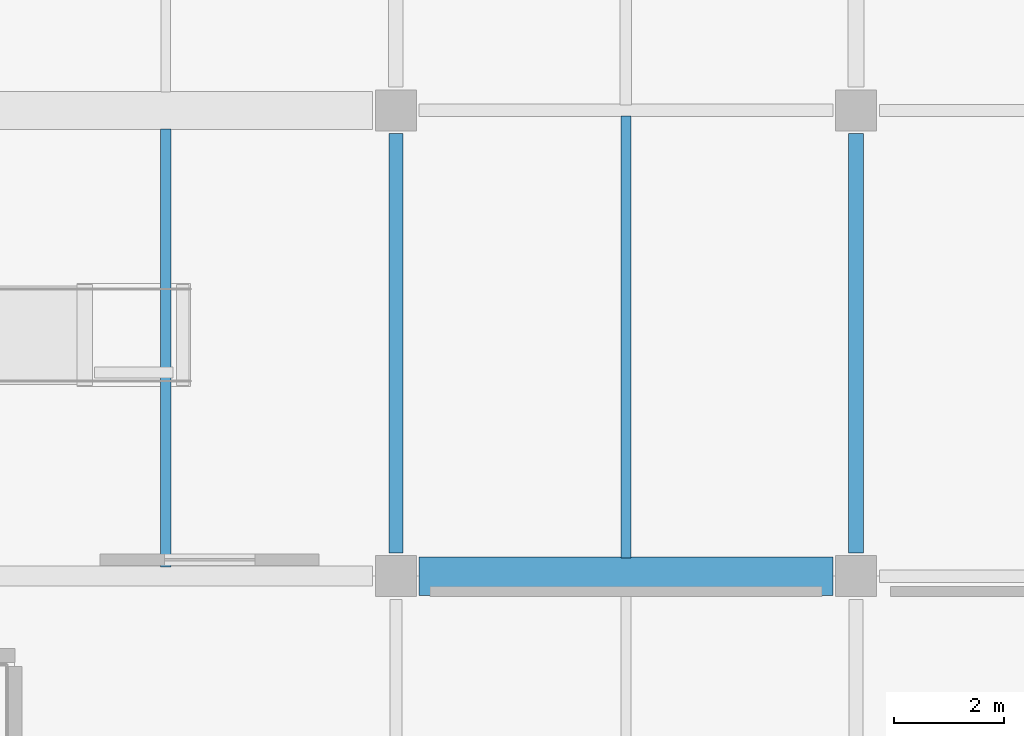
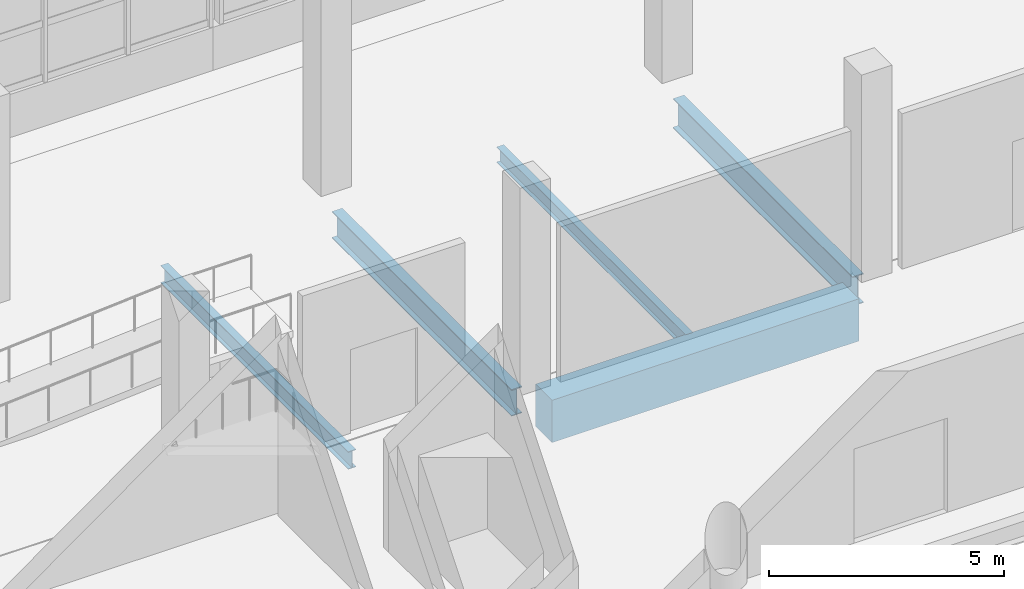
# One storey, part 48 of 107: 5 beams.
"""IFC4 building model written with IfcOpenShell, lengths in metres."""

from ifc_helpers import new_model, si_unit, direction, frame, origin, origin_2d, place, context, subcontext, project, spatial, rectangle, i_section, extrude, material, material_profile, profile_set, type_object, element, save


model = new_model("IFC4")

# Units and contexts
model_context = context("Model", 3, precision=1e-05, world=origin(), true_north=direction((0.0, 1.0)))
body_context = subcontext(model_context, "Body", "Model", "MODEL_VIEW")
ifc_project = project(units=[si_unit("LENGTHUNIT", "METRE"), si_unit("AREAUNIT", "SQUARE_METRE"), si_unit("VOLUMEUNIT", "CUBIC_METRE"), si_unit("PLANEANGLEUNIT", "RADIAN"), si_unit("MASSUNIT", "GRAM", prefix="KILO")], contexts=[model_context])

# Site, building, storey
site_placement = place(None, origin())
site = spatial("IfcSite", under=ifc_project, at=site_placement, CompositionType="ELEMENT")
building_placement = place(site_placement, origin())
building = spatial("IfcBuilding", under=site, at=building_placement, Name="Solvento Point Concert Hall", CompositionType="ELEMENT")
storey_placement = place(building_placement, origin())
storey = spatial("IfcBuildingStorey", under=building, at=storey_placement, Name="L00", CompositionType="ELEMENT", Elevation=0.0)

# Beams
ifc_material_1 = material(Name="Concrete C35/45", Category="concrete")
ifc_material_profile_1 = material_profile(ifc_material_1, rectangle(XDim=0.699951171875, YDim=1.10009765625, at=origin_2d()), Name="RC-BM-700X1100")
ifc_profile_set_1 = profile_set([ifc_material_profile_1], Name="Concrete C35/45")
beam_type_1 = type_object("IfcBeamType", Name="Girder_RC_700x1100", PredefinedType="USERDEFINED", material=ifc_profile_set_1)
beam_1_placement = place(storey_placement, frame((167.22412109375, 8.5, -0.964111328125), z_axis=(1.0, 0.0, 0.0), x_axis=(0.0, 1.0, 0.0)))
element("IfcBeam", 1, at=beam_1_placement, inside=storey, type_object=beam_type_1, Name="Primary girder B-49 L00", ObjectType="GIRDER", PredefinedType="USERDEFINED", context=body_context, shape_type="SweptSolid", body=[
    extrude(rectangle(XDim=0.699951171875, YDim=1.10009765625, at=origin_2d()), origin(), (0.0, 0.0, 1.0), 7.5517578125),
])
ifc_material_2 = material(Name="Structural Steel ASTM A992 Grade 50", Category="steel")
ifc_material_profile_2 = material_profile(ifc_material_2, i_section(OverallWidth=0.256103515625, OverallDepth=0.693115234375, WebThickness=0.014404296875, FlangeThickness=0.023681640625, at=origin_2d()), Name="W27X114")
ifc_profile_set_2 = profile_set([ifc_material_profile_2], Name="Structural Steel ASTM A992 Grade 50")
beam_type_2 = type_object("IfcBeamType", Name="Girder_W27X114", PredefinedType="USERDEFINED", material=ifc_profile_set_2)
beam_2_placement = place(storey_placement, frame((166.800048828125, 8.924072265625, -0.760498046875), z_axis=(0.0, 1.0, 0.0), x_axis=(-1.0, 0.0, 0.0)))
element("IfcBeam", 2, at=beam_2_placement, inside=storey, type_object=beam_type_2, Name="Primary girder B-23 L00", ObjectType="GIRDER", PredefinedType="USERDEFINED", context=body_context, shape_type="SweptSolid", body=[
    extrude(i_section(OverallWidth=0.256103515625, OverallDepth=0.693115234375, WebThickness=0.014404296875, FlangeThickness=0.023681640625, at=origin_2d()), origin(), (0.0, 0.0, 1.0), 7.65185546875),
])
ifc_material_3 = material(Name="Structural Steel ASTM A992 Grade 50", Category="steel")
ifc_material_profile_3 = material_profile(ifc_material_3, i_section(OverallWidth=0.26806640625, OverallDepth=0.77001953125, WebThickness=0.015625, FlangeThickness=0.025390625, at=origin_2d()), Name="W30X132")
ifc_profile_set_3 = profile_set([ifc_material_profile_3], Name="Structural Steel ASTM A992 Grade 50")
beam_type_3 = type_object("IfcBeamType", Name="Girder_W30X132", PredefinedType="USERDEFINED", material=ifc_profile_set_3)
beam_3_placement = place(storey_placement, frame((175.199951171875, 8.924072265625, -0.799072265625), z_axis=(0.0, 1.0, 0.0), x_axis=(-1.0, 0.0, 0.0)))
element("IfcBeam", 3, at=beam_3_placement, inside=storey, type_object=beam_type_3, Name="Primary girder B-68 L00", ObjectType="GIRDER", PredefinedType="USERDEFINED", context=body_context, shape_type="SweptSolid", body=[
    extrude(i_section(OverallWidth=0.26806640625, OverallDepth=0.77001953125, WebThickness=0.015625, FlangeThickness=0.025390625, at=origin_2d()), origin(), (0.0, 0.0, 1.0), 7.65185546875),
])
ifc_material_4 = material(Name="Structural Steel ASTM A992 Grade 50", Category="steel")
ifc_material_profile_4 = material_profile(ifc_material_4, i_section(OverallWidth=0.177490234375, OverallDepth=0.403076171875, WebThickness=0.007568359375, FlangeThickness=0.010986328125, at=origin_2d()), Name="W16X36")
ifc_profile_set_4 = profile_set([ifc_material_profile_4], Name="Structural Steel ASTM A992 Grade 50")
beam_type_4 = type_object("IfcBeamType", Name="Joist_W16X36", PredefinedType="JOIST", material=ifc_profile_set_4)
beam_4_placement = place(storey_placement, frame((171.0, 8.8349609375, -0.615478515625), z_axis=(0.0, 1.0, 0.0), x_axis=(-1.0, 0.0, 0.0)))
element("IfcBeam", 4, at=beam_4_placement, inside=storey, type_object=beam_type_4, Name="Secondary floor joist B-30 L00", PredefinedType="JOIST", context=body_context, shape_type="SweptSolid", body=[
    extrude(i_section(OverallWidth=0.177490234375, OverallDepth=0.403076171875, WebThickness=0.007568359375, FlangeThickness=0.010986328125, at=origin_2d()), origin(), (0.0, 0.0, 1.0), 8.06591796875),
])
ifc_material_5 = material(Name="Structural Steel ASTM A992 Grade 50", Category="steel")
ifc_material_profile_5 = material_profile(ifc_material_5, i_section(OverallWidth=0.1904296875, OverallDepth=0.45703125, WebThickness=0.009033203125, FlangeThickness=0.014404296875, at=origin_2d()), Name="W18X50")
ifc_profile_set_5 = profile_set([ifc_material_profile_5], Name="Structural Steel ASTM A992 Grade 50")
beam_type_5 = type_object("IfcBeamType", Name="Joist_W18X50", PredefinedType="JOIST", material=ifc_profile_set_5)
beam_5_placement = place(storey_placement, frame((162.60009765625, 8.66552734375, -0.642578125), z_axis=(0.0, 1.0, 0.0), x_axis=(-1.0, 0.0, 0.0)))
element("IfcBeam", 5, at=beam_5_placement, inside=storey, type_object=beam_type_5, Name="Secondary floor joist B-66 L00", PredefinedType="JOIST", context=body_context, shape_type="SweptSolid", body=[
    extrude(i_section(OverallWidth=0.1904296875, OverallDepth=0.45703125, WebThickness=0.009033203125, FlangeThickness=0.014404296875, at=origin_2d()), origin(), (0.0, 0.0, 1.0), 7.99951171875),
])

save(model, "model.ifc")
